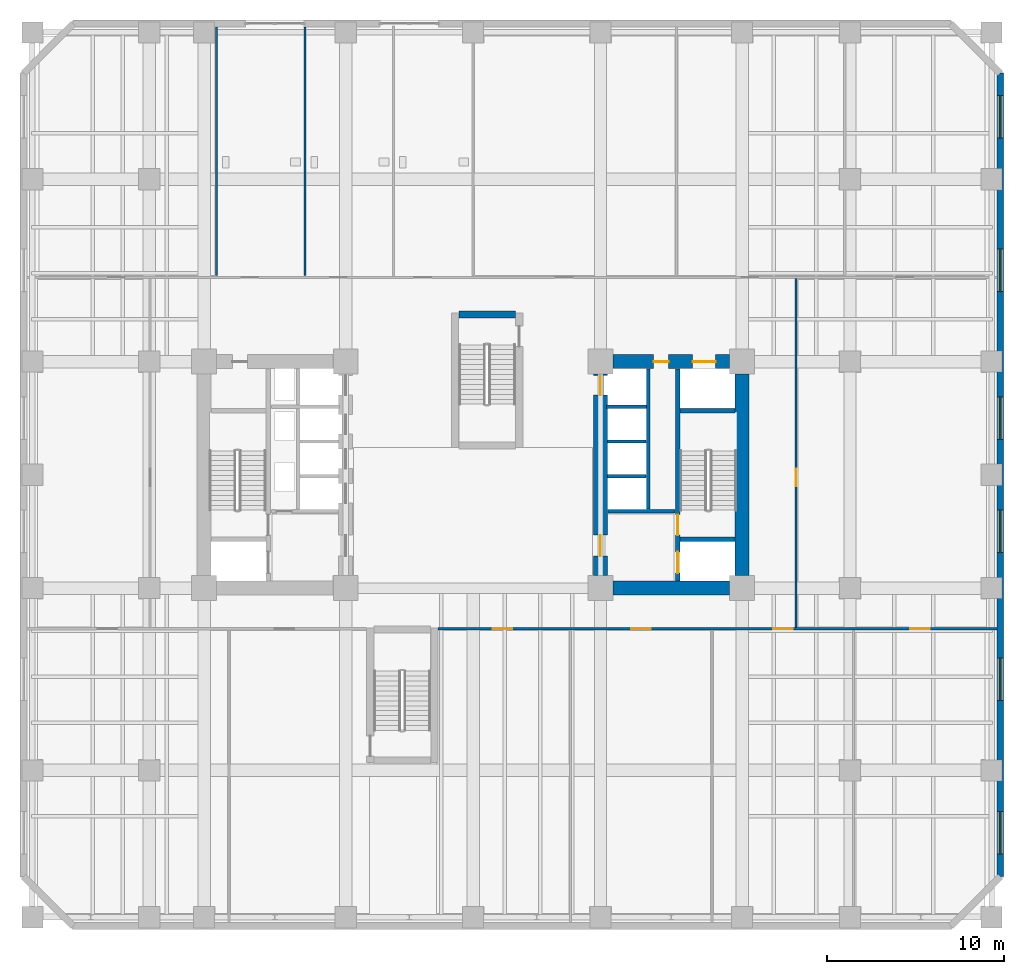
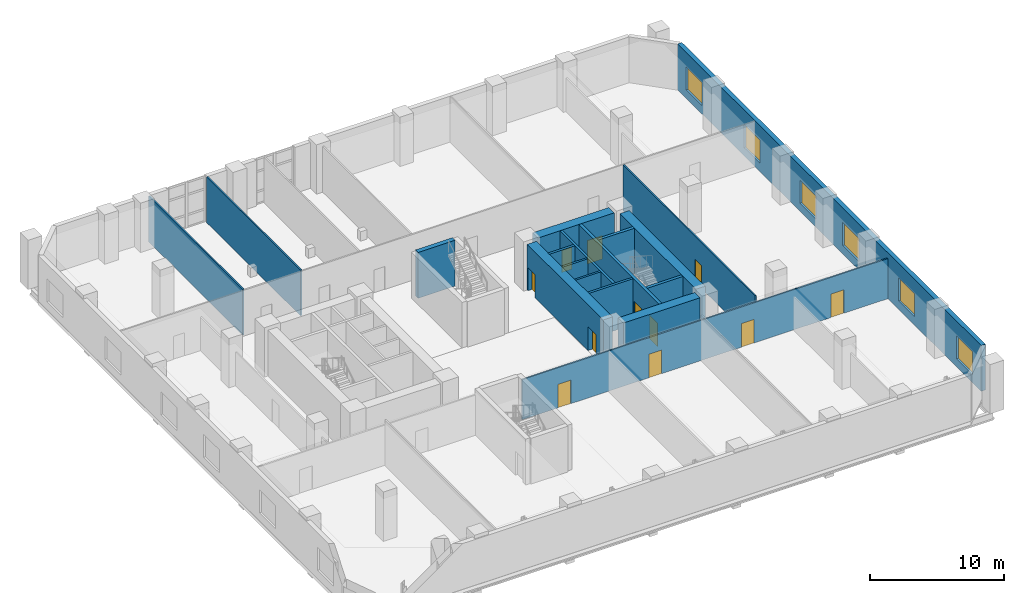
# One storey, part 8 of 15: 18 walls, 11 doors, 6 windows, 17 openings.
"""IFC4 building model written with IfcOpenShell, lengths in metres."""

from ifc_helpers import new_model, si_unit, direction, frame, frame_2d, origin, place, context, subcontext, project, spatial, rectangle, extrude, material, layer, layer_set, type_object, element, fill, save


model = new_model("IFC4")

# Units and contexts
model_context = context("Model", 3, precision=1e-05, world=origin(), true_north=direction((0.0, 1.0)))
body_context = subcontext(model_context, "Body", "Model", "MODEL_VIEW")
ifc_project = project(units=[si_unit("LENGTHUNIT", "METRE"), si_unit("AREAUNIT", "SQUARE_METRE"), si_unit("VOLUMEUNIT", "CUBIC_METRE"), si_unit("PLANEANGLEUNIT", "RADIAN"), si_unit("MASSUNIT", "GRAM", prefix="KILO")], contexts=[model_context])

# Site, building, storey
site_placement = place(None, origin())
site = spatial("IfcSite", under=ifc_project, at=site_placement, CompositionType="ELEMENT")
building_placement = place(site_placement, origin())
building = spatial("IfcBuilding", under=site, at=building_placement, Name="Kranthara Brick Stack", CompositionType="ELEMENT")
storey_placement = place(building_placement, frame((0.0, 0.0, 9.89990234375)))
storey = spatial("IfcBuildingStorey", under=building, at=storey_placement, Name="L02", CompositionType="ELEMENT", Elevation=9.89990234375)

# Wall, openings, windows
ifc_material_1 = material(Name="Kiln-fired clay brick masonry M15", Category="masonry")
ifc_layer_1 = layer(ifc_material_1, 0.3798828125)
ifc_layer_set_1 = layer_set([ifc_layer_1], Name="Kiln-fired clay brick masonry M15")
wall_type_1 = type_object("IfcWallType", Name="WL-BRK-PIER-380", PredefinedType="STANDARD", material=ifc_layer_set_1)
wall_1_placement = place(storey_placement, frame((57.7900390625, 49.89990234375, 0.0), z_axis=(0.0, 0.0, 1.0), x_axis=(0.0, -1.0, 0.0)))
wall_1 = element("IfcWall", 1, at=wall_1_placement, inside=storey, type_object=wall_type_1, Name="L02 Exterior Brick Facade Wall EAST 1", PredefinedType="STANDARD", context=body_context, shape_type="SweptSolid", body=[
    extrude(rectangle(XDim=45.39990234375, YDim=0.3798828125, at=frame_2d((22.699951171875, 0.0))), origin(), (0.0, 0.0, 1.0), 4.18017578125),
])
opening_1_placement = place(wall_1_placement, frame((1.27490234375, 0.0, 0.75)))
opening_1 = element("IfcOpeningElement", 2, at=opening_1_placement, cuts=wall_1, Name="Opening WN11", PredefinedType="OPENING", context=body_context, shape_type="SweptSolid", body=[
    extrude(rectangle(XDim=2.39990234375, YDim=2.10009765625, at=frame_2d((1.199951171875, 1.050048828125))), frame((0.0, 0.199951171875, 0.0), z_axis=(0.0, -1.0, 0.0), x_axis=(1.0, 0.0, 0.0)), (0.0, 0.0, 1.0), 0.39990234375),
])
opening_2_placement = place(wall_1_placement, frame((9.949951171875, 0.0, 0.75)))
opening_2 = element("IfcOpeningElement", 3, at=opening_2_placement, cuts=wall_1, Name="Opening WN11", PredefinedType="OPENING", context=body_context, shape_type="SweptSolid", body=[
    extrude(rectangle(XDim=2.39990234375, YDim=2.10009765625, at=frame_2d((1.199951171875, 1.050048828125))), frame((0.0, 0.199951171875, 0.0), z_axis=(0.0, -1.0, 0.0), x_axis=(1.0, 0.0, 0.0)), (0.0, 0.0, 1.0), 0.39990234375),
])
opening_3_placement = place(wall_1_placement, frame((18.300048828125, 0.0, 0.75)))
opening_3 = element("IfcOpeningElement", 4, at=opening_3_placement, cuts=wall_1, Name="Opening WN11", PredefinedType="OPENING", context=body_context, shape_type="SweptSolid", body=[
    extrude(rectangle(XDim=2.39990234375, YDim=2.10009765625, at=frame_2d((1.199951171875, 1.050048828125))), frame((0.0, 0.199951171875, 0.0), z_axis=(0.0, -1.0, 0.0), x_axis=(1.0, 0.0, 0.0)), (0.0, 0.0, 1.0), 0.39990234375),
])
opening_4_placement = place(wall_1_placement, frame((24.699951171875, 0.0, 0.75)))
opening_4 = element("IfcOpeningElement", 5, at=opening_4_placement, cuts=wall_1, Name="Opening WN11", PredefinedType="OPENING", context=body_context, shape_type="SweptSolid", body=[
    extrude(rectangle(XDim=2.39990234375, YDim=2.10009765625, at=frame_2d((1.199951171875, 1.050048828125))), frame((0.0, 0.199951171875, 0.0), z_axis=(0.0, -1.0, 0.0), x_axis=(1.0, 0.0, 0.0)), (0.0, 0.0, 1.0), 0.39990234375),
])
opening_5_placement = place(wall_1_placement, frame((33.050048828125, 0.0, 0.75)))
opening_5 = element("IfcOpeningElement", 6, at=opening_5_placement, cuts=wall_1, Name="Opening WN11", PredefinedType="OPENING", context=body_context, shape_type="SweptSolid", body=[
    extrude(rectangle(XDim=2.39990234375, YDim=2.10009765625, at=frame_2d((1.199951171875, 1.050048828125))), frame((0.0, 0.199951171875, 0.0), z_axis=(0.0, -1.0, 0.0), x_axis=(1.0, 0.0, 0.0)), (0.0, 0.0, 1.0), 0.39990234375),
])
opening_6_placement = place(wall_1_placement, frame((41.72509765625, 0.0, 0.75)))
opening_6 = element("IfcOpeningElement", 7, at=opening_6_placement, cuts=wall_1, Name="Opening WN11", PredefinedType="OPENING", context=body_context, shape_type="SweptSolid", body=[
    extrude(rectangle(XDim=2.39990234375, YDim=2.10009765625, at=frame_2d((1.199951171875, 1.050048828125))), frame((0.0, 0.199951171875, 0.0), z_axis=(0.0, -1.0, 0.0), x_axis=(1.0, 0.0, 0.0)), (0.0, 0.0, 1.0), 0.39990234375),
])
ifc_material_2 = material(Name="Double-glazed low-E solar control glass", Category="glass")
window_type = type_object("IfcWindowType", Name="WN-POD-2400x2100", PartitioningType="TRIPLE_PANEL_VERTICAL", PredefinedType="WINDOW", material=ifc_material_2)
window_1_placement = place(opening_1_placement, origin())
window_1 = element("IfcWindow", 8, at=window_1_placement, inside=storey, type_object=window_type, Name="L02 EAST Podium Window", OverallHeight=2.10009765625, OverallWidth=2.39990234375, PartitioningType="SINGLE_PANEL", PredefinedType="WINDOW", context=body_context, shape_type="SweptSolid", body=[
    extrude(rectangle(XDim=2.39990234375, YDim=2.10009765625, at=frame_2d((1.199951171875, 1.050048828125))), frame((0.0, 0.030029296875, 0.0), z_axis=(0.0, -1.0, 0.0), x_axis=(1.0, 0.0, 0.0)), (0.0, 0.0, 1.0), 0.06005859375),
])
fill(opening_1, window_1)
window_2_placement = place(opening_2_placement, origin())
window_2 = element("IfcWindow", 9, at=window_2_placement, inside=storey, type_object=window_type, Name="L02 EAST Podium Window", OverallHeight=2.10009765625, OverallWidth=2.39990234375, PartitioningType="SINGLE_PANEL", PredefinedType="WINDOW", context=body_context, shape_type="SweptSolid", body=[
    extrude(rectangle(XDim=2.39990234375, YDim=2.10009765625, at=frame_2d((1.199951171875, 1.050048828125))), frame((0.0, 0.030029296875, 0.0), z_axis=(0.0, -1.0, 0.0), x_axis=(1.0, 0.0, 0.0)), (0.0, 0.0, 1.0), 0.06005859375),
])
fill(opening_2, window_2)
window_3_placement = place(opening_3_placement, origin())
window_3 = element("IfcWindow", 10, at=window_3_placement, inside=storey, type_object=window_type, Name="L02 EAST Podium Window", OverallHeight=2.10009765625, OverallWidth=2.39990234375, PartitioningType="SINGLE_PANEL", PredefinedType="WINDOW", context=body_context, shape_type="SweptSolid", body=[
    extrude(rectangle(XDim=2.39990234375, YDim=2.10009765625, at=frame_2d((1.199951171875, 1.050048828125))), frame((0.0, 0.030029296875, 0.0), z_axis=(0.0, -1.0, 0.0), x_axis=(1.0, 0.0, 0.0)), (0.0, 0.0, 1.0), 0.06005859375),
])
fill(opening_3, window_3)
window_4_placement = place(opening_4_placement, origin())
window_4 = element("IfcWindow", 11, at=window_4_placement, inside=storey, type_object=window_type, Name="L02 EAST Podium Window", OverallHeight=2.10009765625, OverallWidth=2.39990234375, PartitioningType="SINGLE_PANEL", PredefinedType="WINDOW", context=body_context, shape_type="SweptSolid", body=[
    extrude(rectangle(XDim=2.39990234375, YDim=2.10009765625, at=frame_2d((1.199951171875, 1.050048828125))), frame((0.0, 0.030029296875, 0.0), z_axis=(0.0, -1.0, 0.0), x_axis=(1.0, 0.0, 0.0)), (0.0, 0.0, 1.0), 0.06005859375),
])
fill(opening_4, window_4)
window_5_placement = place(opening_5_placement, origin())
window_5 = element("IfcWindow", 12, at=window_5_placement, inside=storey, type_object=window_type, Name="L02 EAST Podium Window", OverallHeight=2.10009765625, OverallWidth=2.39990234375, PartitioningType="SINGLE_PANEL", PredefinedType="WINDOW", context=body_context, shape_type="SweptSolid", body=[
    extrude(rectangle(XDim=2.39990234375, YDim=2.10009765625, at=frame_2d((1.199951171875, 1.050048828125))), frame((0.0, 0.030029296875, 0.0), z_axis=(0.0, -1.0, 0.0), x_axis=(1.0, 0.0, 0.0)), (0.0, 0.0, 1.0), 0.06005859375),
])
fill(opening_5, window_5)
window_6_placement = place(opening_6_placement, origin())
window_6 = element("IfcWindow", 13, at=window_6_placement, inside=storey, type_object=window_type, Name="L02 EAST Podium Window", OverallHeight=2.10009765625, OverallWidth=2.39990234375, PartitioningType="SINGLE_PANEL", PredefinedType="WINDOW", context=body_context, shape_type="SweptSolid", body=[
    extrude(rectangle(XDim=2.39990234375, YDim=2.10009765625, at=frame_2d((1.199951171875, 1.050048828125))), frame((0.0, 0.030029296875, 0.0), z_axis=(0.0, -1.0, 0.0), x_axis=(1.0, 0.0, 0.0)), (0.0, 0.0, 1.0), 0.06005859375),
])
fill(opening_6, window_6)

# Wall, openings, doors
ifc_material_3 = material(Name="Concrete C50/60", Category="concrete")
ifc_layer_2 = layer(ifc_material_3, 0.25)
ifc_layer_set_2 = layer_set([ifc_layer_2], Name="Concrete C50/60")
wall_type_2 = type_object("IfcWallType", Name="WL-CORE-250", PredefinedType="SHEAR", material=ifc_layer_set_2)
wall_2_placement = place(storey_placement, frame((39.56494140625, 21.2099609375, 0.0), z_axis=(0.0, 0.0, 1.0), x_axis=(0.0, 1.0, 0.0)))
wall_2 = element("IfcWall", 14, at=wall_2_placement, inside=storey, type_object=wall_type_2, Name="L02 East Core Stair Bearing Spine Wall", PredefinedType="SHEAR", context=body_context, shape_type="SweptSolid", body=[
    extrude(rectangle(XDim=11.97998046875, YDim=0.25, at=frame_2d((5.989990234375, 0.0))), origin(), (0.0, 0.0, 1.0), 4.18017578125),
])
opening_7_placement = place(wall_2_placement, frame((0.43994140625, 0.0, 0.0)))
opening_7 = element("IfcOpeningElement", 15, at=opening_7_placement, cuts=wall_2, Name="Opening LD01", PredefinedType="OPENING", context=body_context, shape_type="SweptSolid", body=[
    extrude(rectangle(XDim=1.199951171875, YDim=2.14990234375, at=frame_2d((0.60009765625, 1.074951171875))), frame((0.0, 0.135009765625, 0.0), z_axis=(0.0, -1.0, 0.0), x_axis=(1.0, 0.0, 0.0)), (0.0, 0.0, 1.0), 0.27001953125),
])
opening_8_placement = place(wall_2_placement, frame((2.590087890625, 0.0, 0.0)))
opening_8 = element("IfcOpeningElement", 16, at=opening_8_placement, cuts=wall_2, Name="Opening D05", PredefinedType="OPENING", context=body_context, shape_type="SweptSolid", body=[
    extrude(rectangle(XDim=1.14990234375, YDim=2.14990234375, at=frame_2d((0.574951171875, 1.074951171875))), frame((0.0, 0.135009765625, 0.0), z_axis=(0.0, -1.0, 0.0), x_axis=(1.0, 0.0, 0.0)), (0.0, 0.0, 1.0), 0.27001953125),
])
ifc_material_4 = material(Name="Stainless steel sliding landing door", Category="steel")
door_type_1 = type_object("IfcDoorType", Name="DR-LD-FF1200", OperationType="DOUBLE_DOOR_SLIDING", PredefinedType="DOOR", material=ifc_material_4)
door_1_placement = place(opening_7_placement, origin())
door_1 = element("IfcDoor", 17, at=door_1_placement, inside=storey, type_object=door_type_1, Name="L02 Firefighting Lift FF-02 Landing Door", OperationType="DOUBLE_DOOR_SLIDING", OverallHeight=2.14990234375, OverallWidth=1.199951171875, PredefinedType="DOOR", context=body_context, shape_type="SweptSolid", body=[
    extrude(rectangle(XDim=1.199951171875, YDim=2.14990234375, at=frame_2d((0.60009765625, 1.074951171875))), frame((0.0, 0.02490234375, 0.0), z_axis=(0.0, -1.0, 0.0), x_axis=(1.0, 0.0, 0.0)), (0.0, 0.0, 1.0), 0.050048828125),
])
fill(opening_7, door_1)
ifc_material_5 = material(Name="Solid-core hardwood timber leaf in steel frame", Category="steel")
door_type_2 = type_object("IfcDoorType", Name="DR-ST-1150", OperationType="NOTDEFINED", PredefinedType="DOOR", material=ifc_material_5)
door_2_placement = place(opening_8_placement, origin())
door_2 = element("IfcDoor", 18, at=door_2_placement, inside=storey, type_object=door_type_2, Name="L02 Exit Stair ST02 Door", OperationType="SINGLE_SWING_LEFT", OverallHeight=2.14990234375, OverallWidth=1.14990234375, PredefinedType="DOOR", context=body_context, shape_type="SweptSolid", body=[
    extrude(rectangle(XDim=1.14990234375, YDim=2.14990234375, at=frame_2d((0.574951171875, 1.074951171875))), frame((0.0, 0.02490234375, 0.0), z_axis=(0.0, -1.0, 0.0), x_axis=(1.0, 0.0, 0.0)), (0.0, 0.0, 1.0), 0.050048828125),
])
fill(opening_8, door_2)

# Walls
for number, where, z_axis, x_axis, name in (
    (19, (39.68994140625, 23.570068359375, 0.0), (0.0, 0.0, 1.0), (1.0, 0.0, 0.0), "L02 East Stairwell Bearing Wall EFF"),
    (20, (39.68994140625, 30.830078125, 0.0), (0.0, 0.0, 1.0), (1.0, 0.0, 0.0), "L02 East Stairwell Bearing Wall EST"),
):
    element("IfcWall", number, at=place(storey_placement, frame(where, z_axis=z_axis, x_axis=x_axis)), inside=storey, type_object=wall_type_2, Name=name, PredefinedType="SHEAR", context=body_context, shape_type="SweptSolid", body=[
        extrude(rectangle(XDim=3.10009765625, YDim=0.25, at=frame_2d((1.550048828125, 0.0))), origin(), (0.0, 0.0, 1.0), 4.18017578125),
    ])
ifc_material_6 = material(Name="Concrete C50/60", Category="concrete")
ifc_layer_3 = layer(ifc_material_6, 0.39990234375)
ifc_layer_set_3 = layer_set([ifc_layer_3], Name="Concrete C50/60")
wall_type_3 = type_object("IfcWallType", Name="WL-CORE-400", PredefinedType="SHEAR", material=ifc_layer_set_3)
wall_3_placement = place(storey_placement, frame((27.199951171875, 36.25, 0.0), z_axis=(0.0, 0.0, 1.0), x_axis=(1.0, 0.0, 0.0)))
element("IfcWall", 21, at=wall_3_placement, inside=storey, type_object=wall_type_3, Name="L02 Stair ST04 Bearing Wall N", PredefinedType="SHEAR", context=body_context, shape_type="SweptSolid", body=[
    extrude(rectangle(XDim=3.199951171875, YDim=0.39990234375, at=frame_2d((1.60009765625, 0.0))), origin(), (0.0, 0.0, 1.0), 4.18017578125),
])
ifc_material_7 = material(Name="Concrete C70/85", Category="concrete")
ifc_layer_4 = layer(ifc_material_7, 0.800048828125)
ifc_layer_set_4 = layer_set([ifc_layer_4], Name="Concrete C70/85")
wall_type_4 = type_object("IfcWallType", Name="WL-CORE-800", PredefinedType="SHEAR", material=ifc_layer_set_4)
wall_4_placement = place(storey_placement, frame((43.199951171875, 21.5048828125, 0.0), z_axis=(0.0, 0.0, 1.0), x_axis=(0.0, 1.0, 0.0)))
element("IfcWall", 22, at=wall_4_placement, inside=storey, type_object=wall_type_4, Name="L02 East Core Shear Wall East", PredefinedType="SHEAR", context=body_context, shape_type="SweptSolid", body=[
    extrude(rectangle(XDim=11.39013671875, YDim=0.800048828125, at=frame_2d((5.695068359375, 0.0))), origin(), (0.0, 0.0, 1.0), 4.18017578125),
])
wall_5_placement = place(storey_placement, frame((35.905029296875, 20.800048828125, 0.0), z_axis=(0.0, 0.0, 1.0), x_axis=(1.0, 0.0, 0.0)))
element("IfcWall", 23, at=wall_5_placement, inside=storey, type_object=wall_type_4, Name="L02 East Core Shear Wall South", PredefinedType="SHEAR", context=body_context, shape_type="SweptSolid", body=[
    extrude(rectangle(XDim=6.590087890625, YDim=0.800048828125, at=frame_2d((3.294921875, 0.0))), origin(), (0.0, 0.0, 1.0), 4.18017578125),
])

# Wall, openings, doors
wall_6_placement = place(storey_placement, frame((35.905029296875, 33.60009765625, 0.0), z_axis=(0.0, 0.0, 1.0), x_axis=(1.0, 0.0, 0.0)))
wall_6 = element("IfcWall", 24, at=wall_6_placement, inside=storey, type_object=wall_type_4, Name="L02 East Core Shear Wall North", PredefinedType="SHEAR", context=body_context, shape_type="SweptSolid", body=[
    extrude(rectangle(XDim=6.590087890625, YDim=0.800048828125, at=frame_2d((3.294921875, 0.0))), origin(), (0.0, 0.0, 1.0), 4.18017578125),
])
opening_9_placement = place(wall_6_placement, frame((4.4951171875, 0.0, 0.0)))
opening_9 = element("IfcOpeningElement", 25, at=opening_9_placement, cuts=wall_6, Name="Opening LD03", PredefinedType="OPENING", context=body_context, shape_type="SweptSolid", body=[
    extrude(rectangle(XDim=1.300048828125, YDim=2.14990234375, at=frame_2d((0.64990234375, 1.074951171875))), frame((0.0, 0.409912109375, 0.0), z_axis=(0.0, -1.0, 0.0), x_axis=(1.0, 0.0, 0.0)), (0.0, 0.0, 1.0), 0.820068359375),
])
opening_10_placement = place(wall_6_placement, frame((2.294921875, 0.0, 0.0)))
opening_10 = element("IfcOpeningElement", 26, at=opening_10_placement, cuts=wall_6, Name="Opening D10", PredefinedType="OPENING", context=body_context, shape_type="SweptSolid", body=[
    extrude(rectangle(XDim=0.85009765625, YDim=2.02001953125, at=frame_2d((0.425048828125, 1.010009765625))), frame((0.0, 0.409912109375, 0.0), z_axis=(0.0, -1.0, 0.0), x_axis=(1.0, 0.0, 0.0)), (0.0, 0.0, 1.0), 0.820068359375),
])
ifc_material_8 = material(Name="Stainless steel sliding landing door", Category="steel")
door_type_3 = type_object("IfcDoorType", Name="DR-LD-SV1300", OperationType="DOUBLE_DOOR_SLIDING", PredefinedType="DOOR", material=ifc_material_8)
door_3_placement = place(opening_9_placement, origin())
door_3 = element("IfcDoor", 27, at=door_3_placement, inside=storey, type_object=door_type_3, Name="L02 Stretcher Service Lift SV-01 Landing Door", OperationType="DOUBLE_DOOR_SLIDING", OverallHeight=2.14990234375, OverallWidth=1.300048828125, PredefinedType="DOOR", context=body_context, shape_type="SweptSolid", body=[
    extrude(rectangle(XDim=1.300048828125, YDim=2.14990234375, at=frame_2d((0.64990234375, 1.074951171875))), frame((0.0, 0.02490234375, 0.0), z_axis=(0.0, -1.0, 0.0), x_axis=(1.0, 0.0, 0.0)), (0.0, 0.0, 1.0), 0.050048828125),
])
fill(opening_9, door_3)
ifc_material_9 = material(Name="Solid-core hardwood timber leaf in steel frame", Category="steel")
door_type_4 = type_object("IfcDoorType", Name="DR-RSR-850", OperationType="NOTDEFINED", PredefinedType="DOOR", material=ifc_material_9)
door_4_placement = place(opening_10_placement, origin())
door_4 = element("IfcDoor", 28, at=door_4_placement, inside=storey, type_object=door_type_4, Name="L02 East Core Service Room Door", OperationType="SINGLE_SWING_LEFT", OverallHeight=2.02001953125, OverallWidth=0.85009765625, PredefinedType="DOOR", context=body_context, shape_type="SweptSolid", body=[
    extrude(rectangle(XDim=0.85009765625, YDim=2.02001953125, at=frame_2d((0.425048828125, 1.010009765625))), frame((0.0, 0.02490234375, 0.0), z_axis=(0.0, -1.0, 0.0), x_axis=(1.0, 0.0, 0.0)), (0.0, 0.0, 1.0), 0.050048828125),
])
fill(opening_10, door_4)

wall_7_placement = place(storey_placement, frame((35.199951171875, 21.5048828125, 0.0), z_axis=(0.0, 0.0, 1.0), x_axis=(0.0, 1.0, 0.0)))
wall_7 = element("IfcWall", 29, at=wall_7_placement, inside=storey, type_object=wall_type_4, Name="L02 East Core Shear Wall West", PredefinedType="SHEAR", context=body_context, shape_type="SweptSolid", body=[
    extrude(rectangle(XDim=11.39013671875, YDim=0.800048828125, at=frame_2d((5.695068359375, 0.0))), origin(), (0.0, 0.0, 1.0), 4.18017578125),
])
opening_11_placement = place(wall_7_placement, frame((1.094970703125, 0.0, 0.0)))
opening_11 = element("IfcOpeningElement", 30, at=opening_11_placement, cuts=wall_7, Name="Opening D06", PredefinedType="OPENING", context=body_context, shape_type="SweptSolid", body=[
    extrude(rectangle(XDim=1.199951171875, YDim=2.14990234375, at=frame_2d((0.60009765625, 1.074951171875))), frame((0.0, 0.409912109375, 0.0), z_axis=(0.0, -1.0, 0.0), x_axis=(1.0, 0.0, 0.0)), (0.0, 0.0, 1.0), 0.820068359375),
])
opening_12_placement = place(wall_7_placement, frame((10.195068359375, 0.0, 0.0)))
opening_12 = element("IfcOpeningElement", 31, at=opening_12_placement, cuts=wall_7, Name="Opening LD02", PredefinedType="OPENING", context=body_context, shape_type="SweptSolid", body=[
    extrude(rectangle(XDim=1.10009765625, YDim=2.10009765625, at=frame_2d((0.550048828125, 1.050048828125))), frame((0.0, 0.409912109375, 0.0), z_axis=(0.0, -1.0, 0.0), x_axis=(1.0, 0.0, 0.0)), (0.0, 0.0, 1.0), 0.820068359375),
])
ifc_material_10 = material(Name="Solid-core hardwood timber leaf in steel frame", Category="steel")
door_type_5 = type_object("IfcDoorType", Name="DR-FFL-1200", OperationType="NOTDEFINED", PredefinedType="DOOR", material=ifc_material_10)
door_5_placement = place(opening_11_placement, origin())
door_5 = element("IfcDoor", 32, at=door_5_placement, inside=storey, type_object=door_type_5, Name="L02 East Firefighting Lobby Door", OperationType="SINGLE_SWING_RIGHT", OverallHeight=2.14990234375, OverallWidth=1.199951171875, PredefinedType="DOOR", context=body_context, shape_type="SweptSolid", body=[
    extrude(rectangle(XDim=1.199951171875, YDim=2.14990234375, at=frame_2d((0.60009765625, 1.074951171875))), frame((0.0, 0.02490234375, 0.0), z_axis=(0.0, -1.0, 0.0), x_axis=(1.0, 0.0, 0.0)), (0.0, 0.0, 1.0), 0.050048828125),
])
fill(opening_11, door_5)
ifc_material_11 = material(Name="Stainless steel sliding landing door", Category="steel")
door_type_6 = type_object("IfcDoorType", Name="DR-LD-PL1100", OperationType="DOUBLE_DOOR_SLIDING", PredefinedType="DOOR", material=ifc_material_11)
door_6_placement = place(opening_12_placement, origin())
door_6 = element("IfcDoor", 33, at=door_6_placement, inside=storey, type_object=door_type_6, Name="L02 PL-08 Lift Landing Door", OperationType="DOUBLE_DOOR_SLIDING", OverallHeight=2.10009765625, OverallWidth=1.10009765625, PredefinedType="DOOR", context=body_context, shape_type="SweptSolid", body=[
    extrude(rectangle(XDim=1.10009765625, YDim=2.10009765625, at=frame_2d((0.550048828125, 1.050048828125))), frame((0.0, 0.02490234375, 0.0), z_axis=(0.0, -1.0, 0.0), x_axis=(1.0, 0.0, 0.0)), (0.0, 0.0, 1.0), 0.050048828125),
])
fill(opening_12, door_6)

ifc_material_12 = material(Name="Acoustic gypsum plasterboard partition", Category="other")
ifc_layer_5 = layer(ifc_material_12, 0.1201171875)
ifc_layer_set_5 = layer_set([ifc_layer_5], Name="Acoustic gypsum plasterboard partition")
wall_type_5 = type_object("IfcWallType", Name="WL-PART-120", PredefinedType="PARTITIONING", material=ifc_layer_set_5)
wall_8_placement = place(storey_placement, frame((26.014892578125, 18.5, 0.0), z_axis=(0.0, 0.0, 1.0), x_axis=(1.0, 0.0, 0.0)))
wall_8 = element("IfcWall", 34, at=wall_8_placement, inside=storey, type_object=wall_type_5, Name="L02 Interior Partition 002", PredefinedType="PARTITIONING", context=body_context, shape_type="SweptSolid", body=[
    extrude(rectangle(XDim=31.580078125, YDim=0.1201171875, at=frame_2d((15.7900390625, 0.0))), origin(), (0.0, 0.0, 1.0), 3.6650390625),
])
opening_13_placement = place(wall_8_placement, frame((3.110107421875, 0.0, 0.0)))
opening_13 = element("IfcOpeningElement", 35, at=opening_13_placement, cuts=wall_8, Name="Opening D11", PredefinedType="OPENING", context=body_context, shape_type="SweptSolid", body=[
    extrude(rectangle(XDim=1.10009765625, YDim=2.14990234375, at=frame_2d((0.550048828125, 1.074951171875))), frame((0.0, 0.070068359375, 0.0), z_axis=(0.0, -1.0, 0.0), x_axis=(1.0, 0.0, 0.0)), (0.0, 0.0, 1.0), 0.14013671875),
])
opening_14_placement = place(wall_8_placement, frame((10.93505859375, 0.0, 0.0)))
opening_14 = element("IfcOpeningElement", 36, at=opening_14_placement, cuts=wall_8, Name="Opening D11", PredefinedType="OPENING", context=body_context, shape_type="SweptSolid", body=[
    extrude(rectangle(XDim=1.10009765625, YDim=2.14990234375, at=frame_2d((0.550048828125, 1.074951171875))), frame((0.0, 0.070068359375, 0.0), z_axis=(0.0, -1.0, 0.0), x_axis=(1.0, 0.0, 0.0)), (0.0, 0.0, 1.0), 0.14013671875),
])
opening_15_placement = place(wall_8_placement, frame((18.93505859375, 0.0, 0.0)))
opening_15 = element("IfcOpeningElement", 37, at=opening_15_placement, cuts=wall_8, Name="Opening D11", PredefinedType="OPENING", context=body_context, shape_type="SweptSolid", body=[
    extrude(rectangle(XDim=1.10009765625, YDim=2.14990234375, at=frame_2d((0.550048828125, 1.074951171875))), frame((0.0, 0.070068359375, 0.0), z_axis=(0.0, -1.0, 0.0), x_axis=(1.0, 0.0, 0.0)), (0.0, 0.0, 1.0), 0.14013671875),
])
opening_16_placement = place(wall_8_placement, frame((26.68505859375, 0.0, 0.0)))
opening_16 = element("IfcOpeningElement", 38, at=opening_16_placement, cuts=wall_8, Name="Opening D11", PredefinedType="OPENING", context=body_context, shape_type="SweptSolid", body=[
    extrude(rectangle(XDim=1.10009765625, YDim=2.14990234375, at=frame_2d((0.550048828125, 1.074951171875))), frame((0.0, 0.070068359375, 0.0), z_axis=(0.0, -1.0, 0.0), x_axis=(1.0, 0.0, 0.0)), (0.0, 0.0, 1.0), 0.14013671875),
])
ifc_material_13 = material(Name="Solid-core hardwood timber leaf in steel frame", Category="steel")
door_type_7 = type_object("IfcDoorType", Name="DR-INT-1100", OperationType="NOTDEFINED", PredefinedType="DOOR", material=ifc_material_13)
door_7_placement = place(opening_13_placement, origin())
door_7 = element("IfcDoor", 39, at=door_7_placement, inside=storey, type_object=door_type_7, Name="L02 Meeting Room Beta 03", OperationType="SINGLE_SWING_LEFT", OverallHeight=2.14990234375, OverallWidth=1.10009765625, PredefinedType="DOOR", context=body_context, shape_type="SweptSolid", body=[
    extrude(rectangle(XDim=1.10009765625, YDim=2.14990234375, at=frame_2d((0.550048828125, 1.074951171875))), frame((0.0, 0.02490234375, 0.0), z_axis=(0.0, -1.0, 0.0), x_axis=(1.0, 0.0, 0.0)), (0.0, 0.0, 1.0), 0.050048828125),
])
fill(opening_13, door_7)
door_8_placement = place(opening_14_placement, origin())
door_8 = element("IfcDoor", 40, at=door_8_placement, inside=storey, type_object=door_type_7, Name="L02 Boardroom Suite 04", OperationType="SINGLE_SWING_RIGHT", OverallHeight=2.14990234375, OverallWidth=1.10009765625, PredefinedType="DOOR", context=body_context, shape_type="SweptSolid", body=[
    extrude(rectangle(XDim=1.10009765625, YDim=2.14990234375, at=frame_2d((0.550048828125, 1.074951171875))), frame((0.0, 0.02490234375, 0.0), z_axis=(0.0, -1.0, 0.0), x_axis=(1.0, 0.0, 0.0)), (0.0, 0.0, 1.0), 0.050048828125),
])
fill(opening_14, door_8)
door_9_placement = place(opening_15_placement, origin())
door_9 = element("IfcDoor", 41, at=door_9_placement, inside=storey, type_object=door_type_7, Name="L02 Creative Workshop 05", OperationType="SINGLE_SWING_LEFT", OverallHeight=2.14990234375, OverallWidth=1.10009765625, PredefinedType="DOOR", context=body_context, shape_type="SweptSolid", body=[
    extrude(rectangle(XDim=1.10009765625, YDim=2.14990234375, at=frame_2d((0.550048828125, 1.074951171875))), frame((0.0, 0.02490234375, 0.0), z_axis=(0.0, -1.0, 0.0), x_axis=(1.0, 0.0, 0.0)), (0.0, 0.0, 1.0), 0.050048828125),
])
fill(opening_15, door_9)
door_10_placement = place(opening_16_placement, origin())
door_10 = element("IfcDoor", 42, at=door_10_placement, inside=storey, type_object=door_type_7, Name="L02 Client Salon 06", OperationType="SINGLE_SWING_RIGHT", OverallHeight=2.14990234375, OverallWidth=1.10009765625, PredefinedType="DOOR", context=body_context, shape_type="SweptSolid", body=[
    extrude(rectangle(XDim=1.10009765625, YDim=2.14990234375, at=frame_2d((0.550048828125, 1.074951171875))), frame((0.0, 0.02490234375, 0.0), z_axis=(0.0, -1.0, 0.0), x_axis=(1.0, 0.0, 0.0)), (0.0, 0.0, 1.0), 0.050048828125),
])
fill(opening_16, door_10)

# Walls
for number, where, z_axis, x_axis, name in (
    (43, (13.5, 38.449951171875, 0.0), (0.0, 0.0, 1.0), (0.0, 1.0, 0.0), "L02 Interior Partition 008"),
    (44, (18.5, 38.449951171875, 0.0), (0.0, 0.0, 1.0), (0.0, 1.0, 0.0), "L02 Interior Partition 009"),
):
    element("IfcWall", number, at=place(storey_placement, frame(where, z_axis=z_axis, x_axis=x_axis)), inside=storey, type_object=wall_type_5, Name=name, PredefinedType="PARTITIONING", context=body_context, shape_type="SweptSolid", body=[
        extrude(rectangle(XDim=14.045166015625, YDim=0.1201171875, at=frame_2d((7.0224609375, 0.0))), origin(), (0.0, 0.0, 1.0), 4.18017578125),
    ])

# Wall, opening, door
wall_9_placement = place(storey_placement, frame((46.25, 18.56494140625, 0.0), z_axis=(0.0, 0.0, 1.0), x_axis=(0.0, 1.0, 0.0)))
wall_9 = element("IfcWall", 45, at=wall_9_placement, inside=storey, type_object=wall_type_5, Name="L02 Interior Partition 015", PredefinedType="PARTITIONING", context=body_context, shape_type="SweptSolid", body=[
    extrude(rectangle(XDim=19.719970703125, YDim=0.1201171875, at=frame_2d((9.85986328125, 0.0))), origin(), (0.0, 0.0, 1.0), 4.18017578125),
])
opening_17_placement = place(wall_9_placement, frame((7.985107421875, 0.0, 0.0)))
opening_17 = element("IfcOpeningElement", 46, at=opening_17_placement, cuts=wall_9, Name="Opening D13", PredefinedType="OPENING", context=body_context, shape_type="SweptSolid", body=[
    extrude(rectangle(XDim=1.0, YDim=2.10009765625, at=frame_2d((0.5, 1.050048828125))), frame((0.0, 0.070068359375, 0.0), z_axis=(0.0, -1.0, 0.0), x_axis=(1.0, 0.0, 0.0)), (0.0, 0.0, 1.0), 0.14013671875),
])
ifc_material_14 = material(Name="Solid-core hardwood timber leaf in steel frame", Category="steel")
door_type_8 = type_object("IfcDoorType", Name="DR-INT-1000", OperationType="NOTDEFINED", PredefinedType="DOOR", material=ifc_material_14)
door_11_placement = place(opening_17_placement, origin())
door_11 = element("IfcDoor", 47, at=door_11_placement, inside=storey, type_object=door_type_8, Name="L02 East Gallery Office 15", OperationType="SINGLE_SWING_LEFT", OverallHeight=2.10009765625, OverallWidth=1.0, PredefinedType="DOOR", context=body_context, shape_type="SweptSolid", body=[
    extrude(rectangle(XDim=1.0, YDim=2.10009765625, at=frame_2d((0.5, 1.050048828125))), frame((0.0, 0.02490234375, 0.0), z_axis=(0.0, -1.0, 0.0), x_axis=(1.0, 0.0, 0.0)), (0.0, 0.0, 1.0), 0.050048828125),
])
fill(opening_17, door_11)

# Walls
ifc_material_15 = material(Name="Gypsum plasterboard on acoustic twin stud", Category="other")
ifc_layer_6 = layer(ifc_material_15, 0.179931640625)
ifc_layer_set_6 = layer_set([ifc_layer_6], Name="Gypsum plasterboard on acoustic twin stud")
wall_type_6 = type_object("IfcWallType", Name="WL-PART-180", PredefinedType="PARTITIONING", material=ifc_layer_set_6)
for number, where, z_axis, x_axis, name in (
    (48, (35.610107421875, 27.1201171875, 0.0), (0.0, 0.0, 1.0), (1.0, 0.0, 0.0), "L02 East Hoistway Wall EH1"),
    (49, (35.610107421875, 29.080078125, 0.0), (0.0, 0.0, 1.0), (1.0, 0.0, 0.0), "L02 East Hoistway Wall EH2"),
):
    element("IfcWall", number, at=place(storey_placement, frame(where, z_axis=z_axis, x_axis=x_axis)), inside=storey, type_object=wall_type_6, Name=name, PredefinedType="PARTITIONING", context=body_context, shape_type="SweptSolid", body=[
        extrude(rectangle(XDim=2.169921875, YDim=0.179931640625, at=frame_2d((1.0849609375, 0.0))), origin(), (0.0, 0.0, 1.0), 4.18017578125),
    ])
ifc_material_16 = material(Name="Concrete C40/50", Category="concrete")
ifc_layer_7 = layer(ifc_material_16, 0.199951171875)
ifc_layer_set_7 = layer_set([ifc_layer_7], Name="Concrete C40/50")
wall_type_7 = type_object("IfcWallType", Name="WL-PART-200", PredefinedType="SOLIDWALL", material=ifc_layer_set_7)
wall_10_placement = place(storey_placement, frame((35.610107421875, 25.14990234375, 0.0), z_axis=(0.0, 0.0, 1.0), x_axis=(1.0, 0.0, 0.0)))
element("IfcWall", 50, at=wall_10_placement, inside=storey, type_object=wall_type_7, Name="L02 East Core Cross Wall EFL", PredefinedType="SOLIDWALL", context=body_context, shape_type="SweptSolid", body=[
    extrude(rectangle(XDim=3.789794921875, YDim=0.199951171875, at=frame_2d((1.89501953125, 0.0))), origin(), (0.0, 0.0, 1.0), 4.18017578125),
])
wall_11_placement = place(storey_placement, frame((35.550048828125, 31.050048828125, 0.0), z_axis=(0.0, 0.0, 1.0), x_axis=(1.0, 0.0, 0.0)))
element("IfcWall", 51, at=wall_11_placement, inside=storey, type_object=wall_type_7, Name="L02 East Core Cross Wall EE4", PredefinedType="SOLIDWALL", context=body_context, shape_type="SweptSolid", body=[
    extrude(rectangle(XDim=2.25, YDim=0.199951171875, at=frame_2d((1.125, 0.0))), origin(), (0.0, 0.0, 1.0), 4.18017578125),
])
wall_12_placement = place(storey_placement, frame((37.89990234375, 25.27001953125, 0.0), z_axis=(0.0, 0.0, 1.0), x_axis=(0.0, 1.0, 0.0)))
element("IfcWall", 52, at=wall_12_placement, inside=storey, type_object=wall_type_7, Name="L02 East Core Cross Wall ESV", PredefinedType="SOLIDWALL", context=body_context, shape_type="SweptSolid", body=[
    extrude(rectangle(XDim=7.919921875, YDim=0.199951171875, at=frame_2d((3.9599609375, 0.0))), origin(), (0.0, 0.0, 1.0), 4.18017578125),
])

save(model, "model.ifc")
